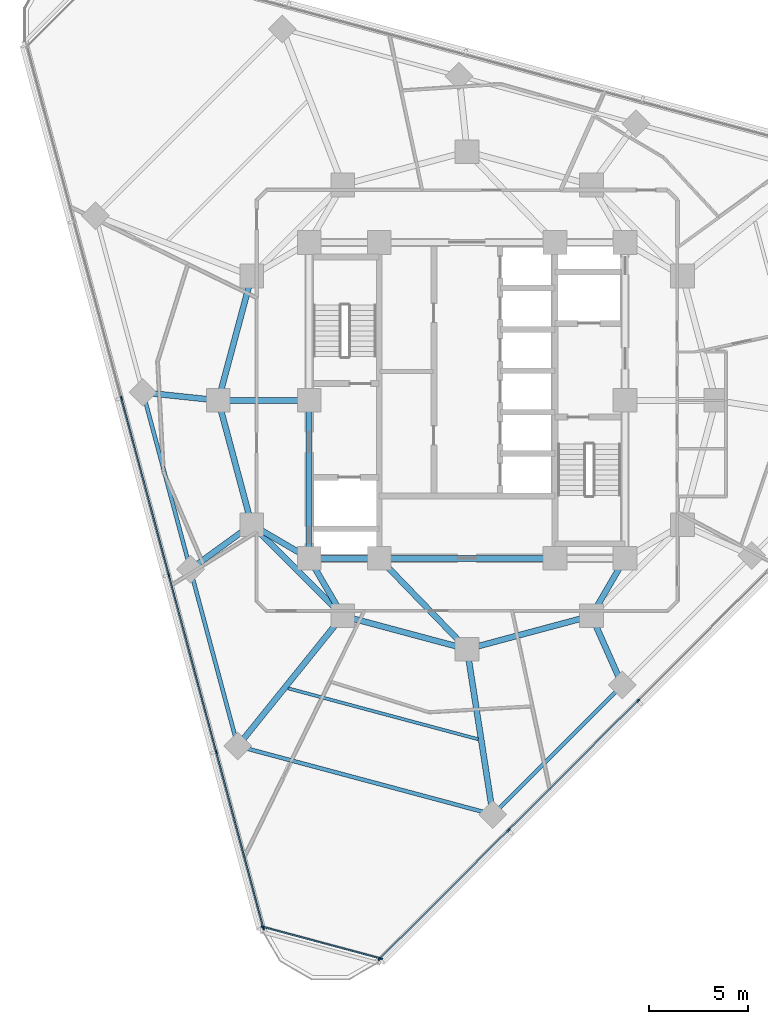
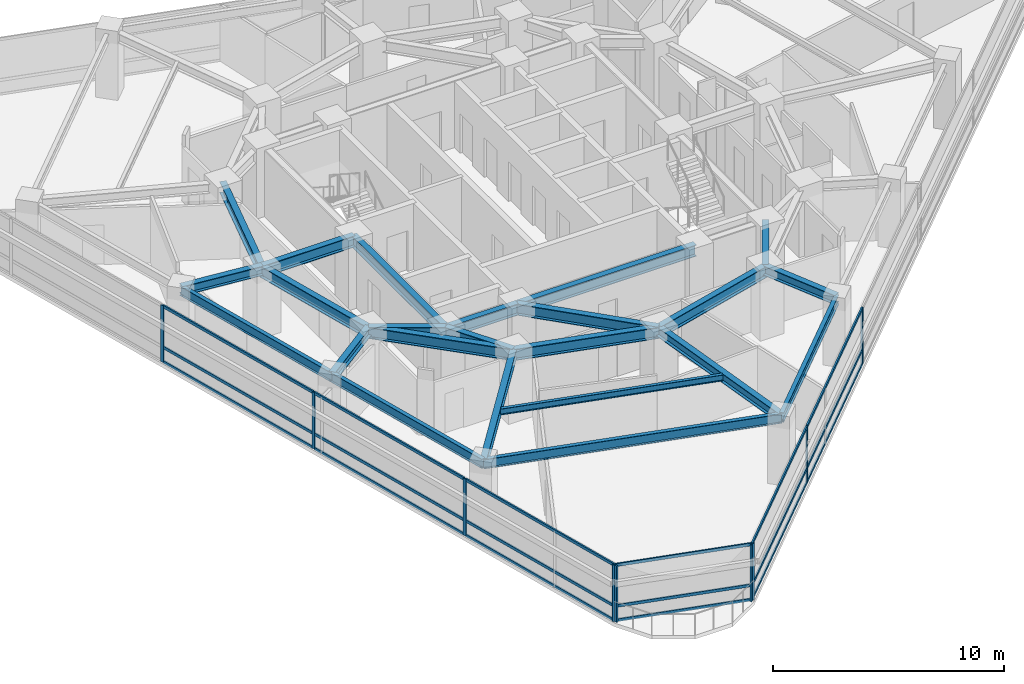
# One storey, part 2 of 14: 27 members, 23 beams, 3 elements without a shape of their own.
"""IFC4 building model written with IfcOpenShell, lengths in metres."""

from ifc_helpers import new_model, si_unit, direction, frame, origin, origin_2d, place, context, subcontext, project, spatial, rectangle, i_section, extrude, material, layer, layer_set, material_profile, profile_set, type_object, element, aggregate, save


model = new_model("IFC4")

# Units and contexts
model_context = context("Model", 3, precision=1e-05, world=origin(), true_north=direction((0.0, 1.0)))
body_context = subcontext(model_context, "Body", "Model", "MODEL_VIEW")
ifc_project = project(units=[si_unit("LENGTHUNIT", "METRE"), si_unit("AREAUNIT", "SQUARE_METRE"), si_unit("VOLUMEUNIT", "CUBIC_METRE"), si_unit("PLANEANGLEUNIT", "RADIAN"), si_unit("MASSUNIT", "GRAM", prefix="KILO")], contexts=[model_context])

# Site, building, storey
site_placement = place(None, origin())
site = spatial("IfcSite", under=ifc_project, at=site_placement, CompositionType="ELEMENT")
building_placement = place(site_placement, origin())
building = spatial("IfcBuilding", under=site, at=building_placement, Name="Terralouvre Media Tower", CompositionType="ELEMENT")
storey_placement = place(building_placement, frame((0.0, 0.0, 184.199951171875)))
storey = spatial("IfcBuildingStorey", under=building, at=storey_placement, Name="L47", CompositionType="ELEMENT", Elevation=184.199951171875)

# Beam
ifc_material_1 = material(Name="Structural steel S355J2", Category="steel")
ifc_material_profile_1 = material_profile(ifc_material_1, i_section(OverallWidth=0.159912109375, OverallDepth=0.330078125, WebThickness=0.007568359375, FlangeThickness=0.011474609375, at=origin_2d()), Name="IPE 330")
ifc_profile_set_1 = profile_set([ifc_material_profile_1], Name="Structural steel S355J2")
beam_type_1 = type_object("IfcBeamType", Name="Composite Floor Joist J-IPE330 (IPE 330)", PredefinedType="JOIST", material=ifc_profile_set_1)
beam_1_placement = place(storey_placement, frame((-9.067626953125, -14.58349609375, 3.3349609375), z_axis=(0.965923672222, -0.258827084055, 0.0), x_axis=(0.258827084055, 0.965923672222, 0.0)))
element("IfcBeam", 1, at=beam_1_placement, inside=storey, type_object=beam_type_1, Name="L47 Framing Beam JT-L47-01", PredefinedType="JOIST", context=body_context, shape_type="SweptSolid", body=[
    extrude(i_section(OverallWidth=0.159912109375, OverallDepth=0.330078125, WebThickness=0.007568359375, FlangeThickness=0.011474609375, at=origin_2d()), origin(), (0.0, 0.0, 1.0), 9.96826171875),
])

# Curtain wall, members
ifc_material_2 = material(Name="Low-iron laminated double glazing with solar-control coating", Category="glass")
ifc_layer_1 = layer(ifc_material_2, 0.1650390625, Name="Production Studio Tower Curtain Wall CW-03")
ifc_layer_set_1 = layer_set([ifc_layer_1], Name="Low-iron laminated double glazing with solar-control coating")
curtain_wall_type_1 = type_object("IfcCurtainWallType", Name="Production Studio Tower Curtain Wall CW-03", PredefinedType="NOTDEFINED", material=ifc_layer_set_1)
curtain_wall_1_placement = place(storey_placement, origin())
curtain_wall_1 = element("IfcCurtainWall", 2, at=curtain_wall_1_placement, inside=storey, type_object=curtain_wall_type_1, Name="L47 Facade Curtain Wall F0", PredefinedType="NOTDEFINED")
ifc_material_3 = material(Name="Anodised extruded aluminium 6063-T6", Category="aluminium")
ifc_material_profile_2 = material_profile(ifc_material_3, rectangle(XDim=0.074951171875, YDim=0.14990234375, at=origin_2d()), Name="ALU 75x150")
ifc_profile_set_2 = profile_set([ifc_material_profile_2], Name="Anodised extruded aluminium 6063-T6")
member_type_1 = type_object("IfcMemberType", Name="Curtain-Wall Horizontal Transom TR-150", PredefinedType="USERDEFINED", material=ifc_profile_set_2)
member_1_placement = place(storey_placement, frame((-4.399658203125, -28.27587890625, 0.03759765625), z_axis=(0.707106781187, 0.707106781187, 0.0), x_axis=(-0.707106781187, 0.707106781187, 0.0)))
member_1 = element("IfcMember", 3, at=member_1_placement, type_object=member_type_1, Name="CW-03 transom 1.1", ObjectType="TRANSOM", PredefinedType="USERDEFINED", context=body_context, shape_type="SweptSolid", body=[
    extrude(rectangle(XDim=0.074951171875, YDim=0.14990234375, at=origin_2d()), origin(), (0.0, 0.0, 1.0), 9.15966796875),
])
member_2_placement = place(storey_placement, frame((-4.399658203125, -28.27587890625, 0.800048828125), z_axis=(0.707106781187, 0.707106781187, 0.0), x_axis=(-0.707106781187, 0.707106781187, 0.0)))
member_2 = element("IfcMember", 4, at=member_2_placement, type_object=member_type_1, Name="CW-03 transom 1.2", ObjectType="TRANSOM", PredefinedType="USERDEFINED", context=body_context, shape_type="SweptSolid", body=[
    extrude(rectangle(XDim=0.074951171875, YDim=0.14990234375, at=origin_2d()), origin(), (0.0, 0.0, 1.0), 9.15966796875),
])
member_3_placement = place(storey_placement, frame((-4.399658203125, -28.27587890625, 2.962646484375), z_axis=(0.707106781187, 0.707106781187, 0.0), x_axis=(-0.707106781187, 0.707106781187, 0.0)))
member_3 = element("IfcMember", 5, at=member_3_placement, type_object=member_type_1, Name="CW-03 transom 1.3", ObjectType="TRANSOM", PredefinedType="USERDEFINED", context=body_context, shape_type="SweptSolid", body=[
    extrude(rectangle(XDim=0.074951171875, YDim=0.14990234375, at=origin_2d()), origin(), (0.0, 0.0, 1.0), 9.15966796875),
])
member_4_placement = place(storey_placement, frame((2.130126953125, -21.74609375, 0.03759765625), z_axis=(0.707093508293, 0.707120053831, 0.0), x_axis=(-0.707120053831, 0.707093508293, 0.0)))
member_4 = element("IfcMember", 6, at=member_4_placement, type_object=member_type_1, Name="CW-03 transom 2.1", ObjectType="TRANSOM", PredefinedType="USERDEFINED", context=body_context, shape_type="SweptSolid", body=[
    extrude(rectangle(XDim=0.074951171875, YDim=0.14990234375, at=origin_2d()), origin(), (0.0, 0.0, 1.0), 9.197021484375),
])
member_5_placement = place(storey_placement, frame((2.130126953125, -21.74609375, 0.800048828125), z_axis=(0.707093508293, 0.707120053831, 0.0), x_axis=(-0.707120053831, 0.707093508293, 0.0)))
member_5 = element("IfcMember", 7, at=member_5_placement, type_object=member_type_1, Name="CW-03 transom 2.2", ObjectType="TRANSOM", PredefinedType="USERDEFINED", context=body_context, shape_type="SweptSolid", body=[
    extrude(rectangle(XDim=0.074951171875, YDim=0.14990234375, at=origin_2d()), origin(), (0.0, 0.0, 1.0), 9.197021484375),
])
member_6_placement = place(storey_placement, frame((2.130126953125, -21.74609375, 2.962646484375), z_axis=(0.707093508293, 0.707120053831, 0.0), x_axis=(-0.707120053831, 0.707093508293, 0.0)))
member_6 = element("IfcMember", 8, at=member_6_placement, type_object=member_type_1, Name="CW-03 transom 2.3", ObjectType="TRANSOM", PredefinedType="USERDEFINED", context=body_context, shape_type="SweptSolid", body=[
    extrude(rectangle(XDim=0.074951171875, YDim=0.14990234375, at=origin_2d()), origin(), (0.0, 0.0, 1.0), 9.197021484375),
])

curtain_wall_2_placement = place(storey_placement, origin())
curtain_wall_2 = element("IfcCurtainWall", 9, at=curtain_wall_2_placement, inside=storey, type_object=curtain_wall_type_1, Name="L47 Facade Curtain Wall F2", PredefinedType="NOTDEFINED")
member_7_placement = place(storey_placement, frame((-17.497802734375, 0.072265625, 0.03759765625), z_axis=(0.25881569625, -0.965926723605, 0.0), x_axis=(0.965926723605, 0.25881569625, 0.0)))
member_7 = element("IfcMember", 10, at=member_7_placement, type_object=member_type_1, Name="CW-03 transom 3.1", ObjectType="TRANSOM", PredefinedType="USERDEFINED", context=body_context, shape_type="SweptSolid", body=[
    extrude(rectangle(XDim=0.074951171875, YDim=0.14990234375, at=origin_2d()), origin(), (0.0, 0.0, 1.0), 9.197265625),
])
member_8_placement = place(storey_placement, frame((-17.497802734375, 0.072265625, 0.800048828125), z_axis=(0.25881569625, -0.965926723605, 0.0), x_axis=(0.965926723605, 0.25881569625, 0.0)))
member_8 = element("IfcMember", 11, at=member_8_placement, type_object=member_type_1, Name="CW-03 transom 3.2", ObjectType="TRANSOM", PredefinedType="USERDEFINED", context=body_context, shape_type="SweptSolid", body=[
    extrude(rectangle(XDim=0.074951171875, YDim=0.14990234375, at=origin_2d()), origin(), (0.0, 0.0, 1.0), 9.197265625),
])
member_9_placement = place(storey_placement, frame((-17.497802734375, 0.072265625, 2.962646484375), z_axis=(0.25881569625, -0.965926723605, 0.0), x_axis=(0.965926723605, 0.25881569625, 0.0)))
member_9 = element("IfcMember", 12, at=member_9_placement, type_object=member_type_1, Name="CW-03 transom 3.3", ObjectType="TRANSOM", PredefinedType="USERDEFINED", context=body_context, shape_type="SweptSolid", body=[
    extrude(rectangle(XDim=0.074951171875, YDim=0.14990234375, at=origin_2d()), origin(), (0.0, 0.0, 1.0), 9.197265625),
])
member_10_placement = place(storey_placement, frame((-15.09814453125, -8.8837890625, 0.03759765625), z_axis=(0.25881569625, -0.965926723605, 0.0), x_axis=(0.965926723605, 0.25881569625, 0.0)))
member_10 = element("IfcMember", 13, at=member_10_placement, type_object=member_type_1, Name="CW-03 transom 4.1", ObjectType="TRANSOM", PredefinedType="USERDEFINED", context=body_context, shape_type="SweptSolid", body=[
    extrude(rectangle(XDim=0.074951171875, YDim=0.14990234375, at=origin_2d()), origin(), (0.0, 0.0, 1.0), 9.197265625),
])
member_11_placement = place(storey_placement, frame((-15.09814453125, -8.8837890625, 0.800048828125), z_axis=(0.25881569625, -0.965926723605, 0.0), x_axis=(0.965926723605, 0.25881569625, 0.0)))
member_11 = element("IfcMember", 14, at=member_11_placement, type_object=member_type_1, Name="CW-03 transom 4.2", ObjectType="TRANSOM", PredefinedType="USERDEFINED", context=body_context, shape_type="SweptSolid", body=[
    extrude(rectangle(XDim=0.074951171875, YDim=0.14990234375, at=origin_2d()), origin(), (0.0, 0.0, 1.0), 9.197265625),
])
member_12_placement = place(storey_placement, frame((-15.09814453125, -8.8837890625, 2.962646484375), z_axis=(0.25881569625, -0.965926723605, 0.0), x_axis=(0.965926723605, 0.25881569625, 0.0)))
member_12 = element("IfcMember", 15, at=member_12_placement, type_object=member_type_1, Name="CW-03 transom 4.3", ObjectType="TRANSOM", PredefinedType="USERDEFINED", context=body_context, shape_type="SweptSolid", body=[
    extrude(rectangle(XDim=0.074951171875, YDim=0.14990234375, at=origin_2d()), origin(), (0.0, 0.0, 1.0), 9.197265625),
])
member_13_placement = place(storey_placement, frame((-12.6982421875, -17.83984375, 0.03759765625), z_axis=(0.25881380313, -0.965927230856, 0.0), x_axis=(0.965927230856, 0.25881380313, 0.0)))
member_13 = element("IfcMember", 16, at=member_13_placement, type_object=member_type_1, Name="CW-03 transom 5.1", ObjectType="TRANSOM", PredefinedType="USERDEFINED", context=body_context, shape_type="SweptSolid", body=[
    extrude(rectangle(XDim=0.074951171875, YDim=0.14990234375, at=origin_2d()), origin(), (0.0, 0.0, 1.0), 9.159423828125),
])
member_14_placement = place(storey_placement, frame((-12.6982421875, -17.83984375, 0.800048828125), z_axis=(0.25881380313, -0.965927230856, 0.0), x_axis=(0.965927230856, 0.25881380313, 0.0)))
member_14 = element("IfcMember", 17, at=member_14_placement, type_object=member_type_1, Name="CW-03 transom 5.2", ObjectType="TRANSOM", PredefinedType="USERDEFINED", context=body_context, shape_type="SweptSolid", body=[
    extrude(rectangle(XDim=0.074951171875, YDim=0.14990234375, at=origin_2d()), origin(), (0.0, 0.0, 1.0), 9.159423828125),
])
member_15_placement = place(storey_placement, frame((-12.6982421875, -17.83984375, 2.962646484375), z_axis=(0.25881380313, -0.965927230856, 0.0), x_axis=(0.965927230856, 0.25881380313, 0.0)))
member_15 = element("IfcMember", 18, at=member_15_placement, type_object=member_type_1, Name="CW-03 transom 5.3", ObjectType="TRANSOM", PredefinedType="USERDEFINED", context=body_context, shape_type="SweptSolid", body=[
    extrude(rectangle(XDim=0.074951171875, YDim=0.14990234375, at=origin_2d()), origin(), (0.0, 0.0, 1.0), 9.159423828125),
])

ifc_material_4 = material(Name="Low-iron laminated double glazing with solar-control coating", Category="glass")
ifc_layer_2 = layer(ifc_material_4, 0.1650390625, Name="Rounded Wind-Corner Curved Glazing CW-04")
ifc_layer_set_2 = layer_set([ifc_layer_2], Name="Low-iron laminated double glazing with solar-control coating")
curtain_wall_type_2 = type_object("IfcCurtainWallType", Name="Rounded Wind-Corner Curved Glazing CW-04", PredefinedType="NOTDEFINED", material=ifc_layer_set_2)
curtain_wall_3_placement = place(storey_placement, origin())
curtain_wall_3 = element("IfcCurtainWall", 19, at=curtain_wall_3_placement, inside=storey, type_object=curtain_wall_type_2, Name="L47 Rounded Wind-Corner Curtain Wall C0", PredefinedType="NOTDEFINED")
member_16_placement = place(storey_placement, frame((-10.3154296875, -26.675048828125, 0.03759765625), z_axis=(0.965924368155, -0.25882448687, 0.0), x_axis=(0.25882448687, 0.965924368155, 0.0)))
member_16 = element("IfcMember", 20, at=member_16_placement, type_object=member_type_1, Name="CW-04 transom 1.1", ObjectType="TRANSOM", PredefinedType="USERDEFINED", context=body_context, shape_type="SweptSolid", body=[
    extrude(rectangle(XDim=0.074951171875, YDim=0.14990234375, at=origin_2d()), origin(), (0.0, 0.0, 1.0), 6.119873046875),
])
member_17_placement = place(storey_placement, frame((-10.3154296875, -26.675048828125, 0.800048828125), z_axis=(0.965924368155, -0.25882448687, 0.0), x_axis=(0.25882448687, 0.965924368155, 0.0)))
member_17 = element("IfcMember", 21, at=member_17_placement, type_object=member_type_1, Name="CW-04 transom 1.2", ObjectType="TRANSOM", PredefinedType="USERDEFINED", context=body_context, shape_type="SweptSolid", body=[
    extrude(rectangle(XDim=0.074951171875, YDim=0.14990234375, at=origin_2d()), origin(), (0.0, 0.0, 1.0), 6.119873046875),
])
member_18_placement = place(storey_placement, frame((-10.3154296875, -26.675048828125, 2.962646484375), z_axis=(0.965924368155, -0.25882448687, 0.0), x_axis=(0.25882448687, 0.965924368155, 0.0)))
member_18 = element("IfcMember", 22, at=member_18_placement, type_object=member_type_1, Name="CW-04 transom 1.3", ObjectType="TRANSOM", PredefinedType="USERDEFINED", context=body_context, shape_type="SweptSolid", body=[
    extrude(rectangle(XDim=0.074951171875, YDim=0.14990234375, at=origin_2d()), origin(), (0.0, 0.0, 1.0), 6.119873046875),
])

# Member
ifc_material_5 = material(Name="Anodised extruded aluminium 6063-T6", Category="aluminium")
ifc_material_profile_3 = material_profile(ifc_material_5, rectangle(XDim=0.074951171875, YDim=0.179931640625, at=origin_2d()), Name="ALU 75x180")
ifc_profile_set_3 = profile_set([ifc_material_profile_3], Name="Anodised extruded aluminium 6063-T6")
member_type_2 = type_object("IfcMemberType", Name="Curtain-Wall Vertical Mullion ML-180", PredefinedType="MULLION", material=ifc_profile_set_3)
member_19_placement = place(storey_placement, frame((-4.42626953125, -28.30224609375, 0.0), z_axis=(0.0, 0.0, 1.0), x_axis=(-0.707106781187, 0.707106781187, 0.0)))
member_19 = element("IfcMember", 23, at=member_19_placement, type_object=member_type_2, Name="CW-03 mullion 1", PredefinedType="MULLION", context=body_context, shape_type="SweptSolid", body=[
    extrude(rectangle(XDim=0.074951171875, YDim=0.179931640625, at=origin_2d()), origin(), (0.0, 0.0, 1.0), 3.0),
])

member_20_placement = place(storey_placement, frame((2.103515625, -21.7724609375, 0.0), z_axis=(0.0, 0.0, 1.0), x_axis=(-0.707106781187, 0.707106781187, 0.0)))
member_20 = element("IfcMember", 24, at=member_20_placement, type_object=member_type_2, Name="CW-03 mullion 2", PredefinedType="MULLION", context=body_context, shape_type="SweptSolid", body=[
    extrude(rectangle(XDim=0.074951171875, YDim=0.179931640625, at=origin_2d()), origin(), (0.0, 0.0, 1.0), 3.0),
])

member_21_placement = place(storey_placement, frame((8.659912109375, -15.21630859375, 0.0), z_axis=(0.0, 0.0, 1.0), x_axis=(-0.707106781187, 0.707106781187, 0.0)))
member_21 = element("IfcMember", 25, at=member_21_placement, type_object=member_type_2, Name="CW-03 mullion 3", PredefinedType="MULLION", context=body_context, shape_type="SweptSolid", body=[
    extrude(rectangle(XDim=0.074951171875, YDim=0.179931640625, at=origin_2d()), origin(), (0.0, 0.0, 1.0), 3.0),
])

aggregate(curtain_wall_1, [member_19, member_20, member_21, member_1, member_2, member_3, member_4, member_5, member_6])

member_22_placement = place(storey_placement, frame((-17.507568359375, 0.1083984375, 0.0), z_axis=(0.0, 0.0, 1.0), x_axis=(0.96592582942, 0.25881903342, 0.0)))
member_22 = element("IfcMember", 26, at=member_22_placement, type_object=member_type_2, Name="CW-03 mullion 3", PredefinedType="MULLION", context=body_context, shape_type="SweptSolid", body=[
    extrude(rectangle(XDim=0.074951171875, YDim=0.179931640625, at=origin_2d()), origin(), (0.0, 0.0, 1.0), 3.0),
])

member_23_placement = place(storey_placement, frame((-15.10791015625, -8.84765625, 0.0), z_axis=(0.0, 0.0, 1.0), x_axis=(0.96592582942, 0.25881903342, 0.0)))
member_23 = element("IfcMember", 27, at=member_23_placement, type_object=member_type_2, Name="CW-03 mullion 4", PredefinedType="MULLION", context=body_context, shape_type="SweptSolid", body=[
    extrude(rectangle(XDim=0.074951171875, YDim=0.179931640625, at=origin_2d()), origin(), (0.0, 0.0, 1.0), 3.0),
])

member_24_placement = place(storey_placement, frame((-12.7080078125, -17.8037109375, 0.0), z_axis=(0.0, 0.0, 1.0), x_axis=(0.96592582942, 0.25881903342, 0.0)))
member_24 = element("IfcMember", 28, at=member_24_placement, type_object=member_type_2, Name="CW-03 mullion 5", PredefinedType="MULLION", context=body_context, shape_type="SweptSolid", body=[
    extrude(rectangle(XDim=0.074951171875, YDim=0.179931640625, at=origin_2d()), origin(), (0.0, 0.0, 1.0), 3.0),
])

member_25_placement = place(storey_placement, frame((-10.31787109375, -26.7236328125, 0.0), z_axis=(0.0, 0.0, 1.0), x_axis=(0.96592582942, 0.25881903342, 0.0)))
member_25 = element("IfcMember", 29, at=member_25_placement, type_object=member_type_2, Name="CW-03 mullion 6", PredefinedType="MULLION", context=body_context, shape_type="SweptSolid", body=[
    extrude(rectangle(XDim=0.074951171875, YDim=0.179931640625, at=origin_2d()), origin(), (0.0, 0.0, 1.0), 3.0),
])

aggregate(curtain_wall_2, [member_22, member_23, member_24, member_25, member_7, member_8, member_9, member_10, member_11, member_12, member_13, member_14, member_15])

member_26_placement = place(storey_placement, frame((-10.351806640625, -26.665283203125, 0.0), z_axis=(0.0, 0.0, 1.0), x_axis=(0.258818728144, 0.965925911218, 0.0)))
member_26 = element("IfcMember", 30, at=member_26_placement, type_object=member_type_2, Name="CW-04 mullion 1", PredefinedType="MULLION", context=body_context, shape_type="SweptSolid", body=[
    extrude(rectangle(XDim=0.074951171875, YDim=0.179931640625, at=origin_2d()), origin(), (0.0, 0.0, 1.0), 3.0),
])

member_27_placement = place(storey_placement, frame((-4.367919921875, -28.268798828125, 0.0), z_axis=(0.0, 0.0, 1.0), x_axis=(0.258818728144, 0.965925911218, 0.0)))
member_27 = element("IfcMember", 31, at=member_27_placement, type_object=member_type_2, Name="CW-04 mullion 2", PredefinedType="MULLION", context=body_context, shape_type="SweptSolid", body=[
    extrude(rectangle(XDim=0.074951171875, YDim=0.179931640625, at=origin_2d()), origin(), (0.0, 0.0, 1.0), 3.0),
])

aggregate(curtain_wall_3, [member_26, member_27, member_16, member_17, member_18])

# Beams
ifc_material_6 = material(Name="Structural steel S355J2", Category="steel")
ifc_material_profile_4 = material_profile(ifc_material_6, i_section(OverallWidth=0.199951171875, OverallDepth=0.5, WebThickness=0.01025390625, FlangeThickness=0.01611328125, at=origin_2d()), Name="IPE 500")
ifc_profile_set_4 = profile_set([ifc_material_profile_4], Name="Structural steel S355J2")
beam_type_2 = type_object("IfcBeamType", Name="Perimeter Spandrel Beam SPB-500 (IPE 500)", PredefinedType="SPANDREL", material=ifc_profile_set_4)
beam_2_placement = place(storey_placement, frame((-14.016357421875, -8.55517578125, 3.25), z_axis=(0.258832601786, -0.965922193685, 0.0), x_axis=(0.965922193685, 0.258832601786, 0.0)))
element("IfcBeam", 32, at=beam_2_placement, inside=storey, type_object=beam_type_2, Name="L47 Framing Beam BM-L47-PR01", PredefinedType="SPANDREL", context=body_context, shape_type="SweptSolid", body=[
    extrude(i_section(OverallWidth=0.199951171875, OverallDepth=0.5, WebThickness=0.01025390625, FlangeThickness=0.01611328125, at=origin_2d()), origin(), (0.0, 0.0, 1.0), 9.27197265625),
])
beam_3_placement = place(storey_placement, frame((-11.616455078125, -17.51123046875, 3.25), z_axis=(0.965926789058, -0.258815451972, 0.0), x_axis=(0.258815451972, 0.965926789058, 0.0)))
element("IfcBeam", 33, at=beam_3_placement, inside=storey, type_object=beam_type_2, Name="L47 Framing Beam BM-L47-PR02", PredefinedType="SPANDREL", context=body_context, shape_type="SweptSolid", body=[
    extrude(i_section(OverallWidth=0.199951171875, OverallDepth=0.5, WebThickness=0.01025390625, FlangeThickness=0.01611328125, at=origin_2d()), origin(), (0.0, 0.0, 1.0), 13.376953125),
])
beam_4_placement = place(storey_placement, frame((1.3046875, -20.973388671875, 3.25), z_axis=(0.707106781187, 0.707106781187, 0.0), x_axis=(-0.707106781187, 0.707106781187, 0.0)))
element("IfcBeam", 34, at=beam_4_placement, inside=storey, type_object=beam_type_2, Name="L47 Framing Beam BM-L47-PR03", PredefinedType="SPANDREL", context=body_context, shape_type="SweptSolid", body=[
    extrude(i_section(OverallWidth=0.199951171875, OverallDepth=0.5, WebThickness=0.01025390625, FlangeThickness=0.01611328125, at=origin_2d()), origin(), (0.0, 0.0, 1.0), 9.271728515625),
])
beam_5_placement = place(storey_placement, frame((-16.416015625, 0.40087890625, 3.25), z_axis=(0.258808034669, -0.965928776458, 0.0), x_axis=(0.965928776458, 0.258808034669, 0.0)))
element("IfcBeam", 35, at=beam_5_placement, inside=storey, type_object=beam_type_2, Name="L47 Framing Beam BM-L47-PR12", PredefinedType="SPANDREL", context=body_context, shape_type="SweptSolid", body=[
    extrude(i_section(OverallWidth=0.199951171875, OverallDepth=0.5, WebThickness=0.01025390625, FlangeThickness=0.01611328125, at=origin_2d()), origin(), (0.0, 0.0, 1.0), 9.27197265625),
])
ifc_material_7 = material(Name="Structural steel S355J2", Category="steel")
ifc_material_profile_5 = material_profile(ifc_material_7, i_section(OverallWidth=0.300048828125, OverallDepth=0.5, WebThickness=0.014404296875, FlangeThickness=0.028076171875, at=origin_2d()), Name="HEB 500")
ifc_profile_set_5 = profile_set([ifc_material_profile_5], Name="Structural steel S355J2")
beam_type_3 = type_object("IfcBeamType", Name="Primary Floor Girder B-HEB500 (HEB 500)", PredefinedType="BEAM", material=ifc_profile_set_5)
beam_6_placement = place(storey_placement, frame((-10.911865234375, -6.300048828125, 3.25), z_axis=(-0.809068873767, -0.587713839807, 0.0), x_axis=(0.587713839807, -0.809068873767, 0.0)))
element("IfcBeam", 36, at=beam_6_placement, inside=storey, type_object=beam_type_3, Name="L47 Framing Beam BM-L47-RD01", PredefinedType="BEAM", context=body_context, shape_type="SweptSolid", body=[
    extrude(i_section(OverallWidth=0.300048828125, OverallDepth=0.5, WebThickness=0.014404296875, FlangeThickness=0.028076171875, at=origin_2d()), origin(), (0.0, 0.0, 1.0), 3.837158203125),
])
for number, where, z_axis, x_axis, name in (
    (37, (-6.300048828125, -10.911865234375, 3.25), (-0.62734749454, -0.778739443649, 0.0), (0.778739443649, -0.62734749454, 0.0), "L47 Framing Beam BM-L47-RD02"),
    (38, (0.0, -12.60009765625, 3.25), (0.153957660154, -0.988077445791, 0.0), (0.988077445791, 0.153957660154, 0.0), "L47 Framing Beam BM-L47-RD03"),
):
    element("IfcBeam", number, at=place(storey_placement, frame(where, z_axis=z_axis, x_axis=x_axis)), inside=storey, type_object=beam_type_3, Name=name, PredefinedType="BEAM", context=body_context, shape_type="SweptSolid", body=[
        extrude(i_section(OverallWidth=0.300048828125, OverallDepth=0.5, WebThickness=0.014404296875, FlangeThickness=0.028076171875, at=origin_2d()), origin(), (0.0, 0.0, 1.0), 8.474365234375),
    ])
beam_7_placement = place(storey_placement, frame((6.300048828125, -10.911865234375, 3.25), z_axis=(0.406758229915, -0.913535846257, 0.0), x_axis=(0.913535846257, 0.406758229915, 0.0)))
element("IfcBeam", 39, at=beam_7_placement, inside=storey, type_object=beam_type_3, Name="L47 Framing Beam BM-L47-RD04", PredefinedType="BEAM", context=body_context, shape_type="SweptSolid", body=[
    extrude(i_section(OverallWidth=0.300048828125, OverallDepth=0.5, WebThickness=0.014404296875, FlangeThickness=0.028076171875, at=origin_2d()), origin(), (0.0, 0.0, 1.0), 3.837158203125),
])
beam_8_placement = place(storey_placement, frame((-12.60009765625, 0.0, 3.25), z_axis=(-0.994527048272, 0.104479425033, 0.0), x_axis=(-0.104479425033, -0.994527048272, 0.0)))
element("IfcBeam", 40, at=beam_8_placement, inside=storey, type_object=beam_type_3, Name="L47 Framing Beam BM-L47-RD12", PredefinedType="BEAM", context=body_context, shape_type="SweptSolid", body=[
    extrude(i_section(OverallWidth=0.300048828125, OverallDepth=0.5, WebThickness=0.014404296875, FlangeThickness=0.028076171875, at=origin_2d()), origin(), (0.0, 0.0, 1.0), 3.8369140625),
])
ifc_material_8 = material(Name="Structural steel S460M", Category="steel")
ifc_material_profile_6 = material_profile(ifc_material_8, i_section(OverallWidth=0.300048828125, OverallDepth=0.60009765625, WebThickness=0.015380859375, FlangeThickness=0.030029296875, at=origin_2d()), Name="HEB 600")
ifc_profile_set_6 = profile_set([ifc_material_profile_6], Name="Structural steel S460M")
beam_type_4 = type_object("IfcBeamType", Name="Primary Floor Girder B-HEB600 (HEB 600)", PredefinedType="BEAM", material=ifc_profile_set_6)
beam_9_placement = place(storey_placement, frame((-8.0, -8.0, 3.199951171875), z_axis=(1.0, 0.0, 0.0), x_axis=(0.0, 1.0, 0.0)))
element("IfcBeam", 41, at=beam_9_placement, inside=storey, type_object=beam_type_4, Name="L47 Framing Beam BM-L47-CPR01", PredefinedType="BEAM", context=body_context, shape_type="SweptSolid", body=[
    extrude(i_section(OverallWidth=0.300048828125, OverallDepth=0.60009765625, WebThickness=0.015380859375, FlangeThickness=0.030029296875, at=origin_2d()), origin(), (0.0, 0.0, 1.0), 3.550048828125),
])
beam_10_placement = place(storey_placement, frame((-4.449951171875, -8.0, 3.199951171875), z_axis=(1.0, 0.0, 0.0), x_axis=(0.0, 1.0, 0.0)))
element("IfcBeam", 42, at=beam_10_placement, inside=storey, type_object=beam_type_4, Name="L47 Framing Beam BM-L47-CPR02", PredefinedType="BEAM", context=body_context, shape_type="SweptSolid", body=[
    extrude(i_section(OverallWidth=0.300048828125, OverallDepth=0.60009765625, WebThickness=0.015380859375, FlangeThickness=0.030029296875, at=origin_2d()), origin(), (0.0, 0.0, 1.0), 8.89990234375),
])
beam_11_placement = place(storey_placement, frame((-8.0, 0.0, 3.199951171875), z_axis=(0.0, -1.0, 0.0), x_axis=(1.0, 0.0, 0.0)))
element("IfcBeam", 43, at=beam_11_placement, inside=storey, type_object=beam_type_4, Name="L47 Framing Beam BM-L47-CPR10", PredefinedType="BEAM", context=body_context, shape_type="SweptSolid", body=[
    extrude(i_section(OverallWidth=0.300048828125, OverallDepth=0.60009765625, WebThickness=0.015380859375, FlangeThickness=0.030029296875, at=origin_2d()), origin(), (0.0, 0.0, 1.0), 8.0),
])
beam_12_placement = place(storey_placement, frame((-10.911865234375, -6.300048828125, 3.199951171875), z_axis=(0.707106781187, -0.707106781187, 0.0), x_axis=(0.707106781187, 0.707106781187, 0.0)))
element("IfcBeam", 44, at=beam_12_placement, inside=storey, type_object=beam_type_4, Name="L47 Framing Beam BM-L47-MR01", PredefinedType="BEAM", context=body_context, shape_type="SweptSolid", body=[
    extrude(i_section(OverallWidth=0.300048828125, OverallDepth=0.60009765625, WebThickness=0.015380859375, FlangeThickness=0.030029296875, at=origin_2d()), origin(), (0.0, 0.0, 1.0), 6.52197265625),
])
for number, where, z_axis, x_axis, name in (
    (45, (-6.300048828125, -10.911865234375, 3.199951171875), (0.965920481897, -0.258838989821, 0.0), (0.258838989821, 0.965920481897, 0.0), "L47 Framing Beam BM-L47-MR02"),
    (46, (0.0, -12.60009765625, 3.199951171875), (0.965920481897, 0.258838989821, 0.0), (-0.258838989821, 0.965920481897, 0.0), "L47 Framing Beam BM-L47-MR03"),
    (47, (-10.911865234375, 6.300048828125, 3.199951171875), (-0.258838989821, -0.965920481897, 0.0), (0.965920481897, -0.258838989821, 0.0), "L47 Framing Beam BM-L47-MR11"),
    (48, (-12.60009765625, 0.0, 3.199951171875), (0.258838989821, -0.965920481897, 0.0), (0.965920481897, 0.258838989821, 0.0), "L47 Framing Beam BM-L47-MR12"),
):
    element("IfcBeam", number, at=place(storey_placement, frame(where, z_axis=z_axis, x_axis=x_axis)), inside=storey, type_object=beam_type_4, Name=name, PredefinedType="BEAM", context=body_context, shape_type="SweptSolid", body=[
        extrude(i_section(OverallWidth=0.300048828125, OverallDepth=0.60009765625, WebThickness=0.015380859375, FlangeThickness=0.030029296875, at=origin_2d()), origin(), (0.0, 0.0, 1.0), 6.522216796875),
    ])
for number, where, z_axis, x_axis, name in (
    (49, (-8.0, -8.0, 3.199951171875), (-0.863602894532, 0.504172629717, 0.0), (-0.504172629717, -0.863602894532, 0.0), "L47 Framing Beam BM-L47-CM01"),
    (50, (-8.0, -8.0, 3.199951171875), (0.504172629717, -0.863602894532, 0.0), (0.863602894532, 0.504172629717, 0.0), "L47 Framing Beam BM-L47-CM02"),
):
    element("IfcBeam", number, at=place(storey_placement, frame(where, z_axis=z_axis, x_axis=x_axis)), inside=storey, type_object=beam_type_4, Name=name, PredefinedType="BEAM", context=body_context, shape_type="SweptSolid", body=[
        extrude(i_section(OverallWidth=0.300048828125, OverallDepth=0.60009765625, WebThickness=0.015380859375, FlangeThickness=0.030029296875, at=origin_2d()), origin(), (0.0, 0.0, 1.0), 3.371826171875),
    ])
beam_13_placement = place(storey_placement, frame((-4.449951171875, -8.0, 3.199951171875), z_axis=(0.695279715726, -0.718739255155, 0.0), x_axis=(0.718739255155, 0.695279715726, 0.0)))
element("IfcBeam", 51, at=beam_13_placement, inside=storey, type_object=beam_type_4, Name="L47 Framing Beam BM-L47-CM03", PredefinedType="BEAM", context=body_context, shape_type="SweptSolid", body=[
    extrude(i_section(OverallWidth=0.300048828125, OverallDepth=0.60009765625, WebThickness=0.015380859375, FlangeThickness=0.030029296875, at=origin_2d()), origin(), (0.0, 0.0, 1.0), 6.400146484375),
])
beam_14_placement = place(storey_placement, frame((8.0, -8.0, 3.199951171875), z_axis=(-0.504172629717, -0.863602894532, 0.0), x_axis=(0.863602894532, -0.504172629717, 0.0)))
element("IfcBeam", 52, at=beam_14_placement, inside=storey, type_object=beam_type_4, Name="L47 Framing Beam BM-L47-CM04", PredefinedType="BEAM", context=body_context, shape_type="SweptSolid", body=[
    extrude(i_section(OverallWidth=0.300048828125, OverallDepth=0.60009765625, WebThickness=0.015380859375, FlangeThickness=0.030029296875, at=origin_2d()), origin(), (0.0, 0.0, 1.0), 3.371826171875),
])
beam_15_placement = place(storey_placement, frame((-8.0, 0.0, 3.199951171875), z_axis=(-1.0, 0.0, 0.0), x_axis=(0.0, -1.0, 0.0)))
element("IfcBeam", 53, at=beam_15_placement, inside=storey, type_object=beam_type_4, Name="L47 Framing Beam BM-L47-CM12", PredefinedType="BEAM", context=body_context, shape_type="SweptSolid", body=[
    extrude(i_section(OverallWidth=0.300048828125, OverallDepth=0.60009765625, WebThickness=0.015380859375, FlangeThickness=0.030029296875, at=origin_2d()), origin(), (0.0, 0.0, 1.0), 4.60009765625),
])

save(model, "model.ifc")
